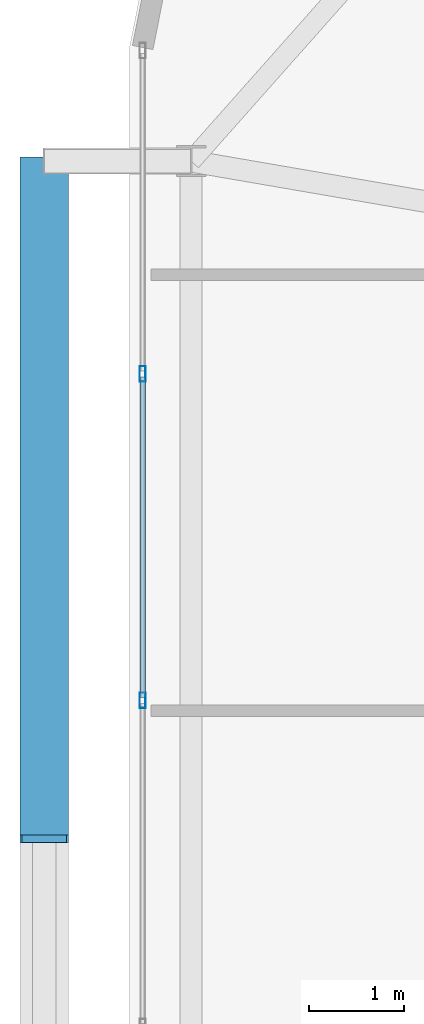
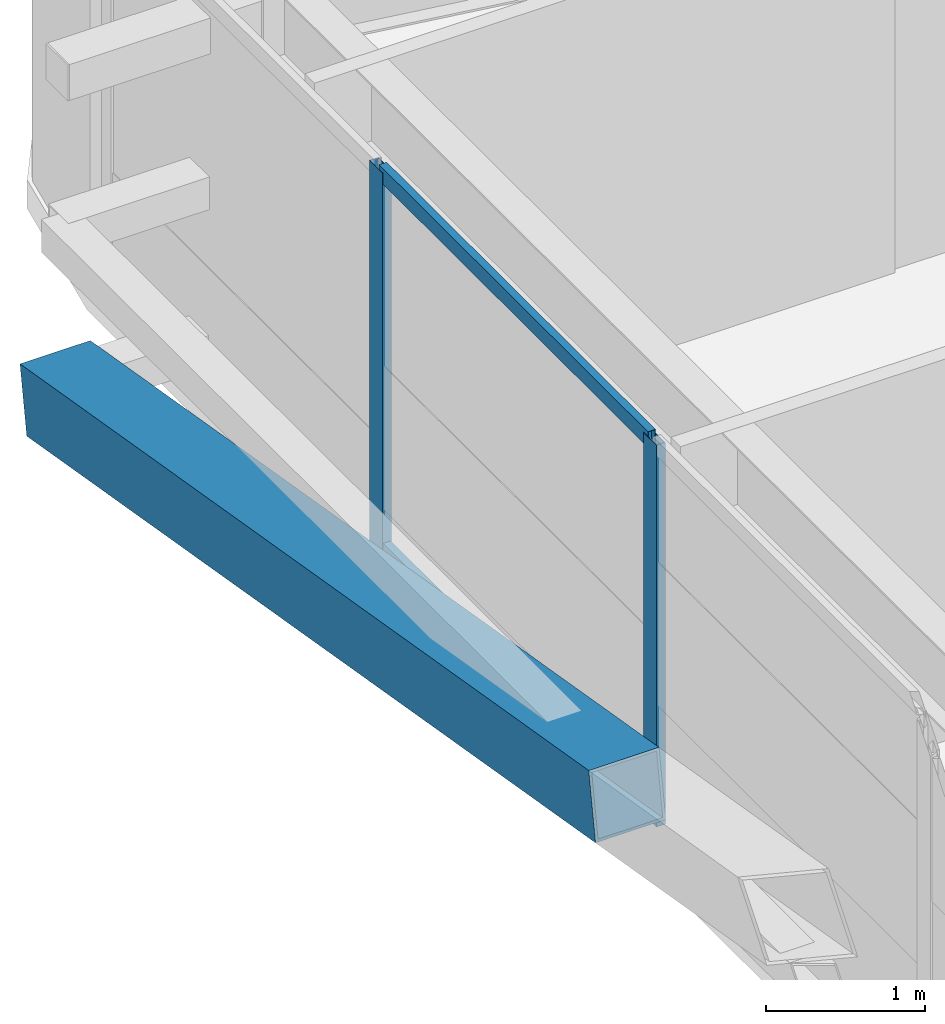
# One storey, part 18 of 59: 5 members, 1 element without a shape of its own.
"""IFC4 building model written with IfcOpenShell, lengths in metres."""

from ifc_helpers import new_model, si_unit, direction, frame, origin, origin_2d, place, context, subcontext, project, spatial, hollow_rectangle, extrude, source, transform, mapped, material, layer, layer_set, material_profile, profile_set, type_object, element, aggregate, save


model = new_model("IFC4")

# Units and contexts
model_context = context("Model", 3, precision=1e-05, world=origin(), true_north=direction((0.0, 1.0)))
body_context = subcontext(model_context, "Body", "Model", "MODEL_VIEW")
ifc_project = project(units=[si_unit("LENGTHUNIT", "METRE"), si_unit("AREAUNIT", "SQUARE_METRE"), si_unit("VOLUMEUNIT", "CUBIC_METRE"), si_unit("PLANEANGLEUNIT", "RADIAN"), si_unit("MASSUNIT", "GRAM", prefix="KILO")], contexts=[model_context])

# Site, building, storey
site_placement = place(None, origin())
site = spatial("IfcSite", under=ifc_project, at=site_placement, CompositionType="ELEMENT")
building_placement = place(site_placement, origin())
building = spatial("IfcBuilding", under=site, at=building_placement, Name="Taldren Reach Tower", CompositionType="ELEMENT")
storey_placement = place(building_placement, frame((0.0, 0.0, 23.10009765625)))
storey = spatial("IfcBuildingStorey", under=building, at=storey_placement, Name="L06", CompositionType="ELEMENT", Elevation=23.10009765625)

# Member
ifc_material_1 = material(Name="Steel Gr 450 (C450L0)", Category="steel")
ifc_material_profile_1 = material_profile(ifc_material_1, hollow_rectangle(XDim=0.510009765625, YDim=0.510009765625, WallThickness=0.02001953125, at=origin_2d()), Name="510x510x20.0SHS")
ifc_profile_set_1 = profile_set([ifc_material_profile_1], Name="Steel Gr 450 (C450L0)")
member_type_1 = type_object("IfcMemberType", Name="MB-EXO508", PredefinedType="BRACE", material=ifc_profile_set_1)
shared_shape_1 = source(origin(), body_context, "Body", "SweptSolid", [
    extrude(hollow_rectangle(XDim=0.510009765625, YDim=0.510009765625, WallThickness=0.02001953125, at=origin_2d()), origin(), (0.0, 0.0, 1.0), 7.252685546875),
])
member_1_placement = place(storey_placement, frame((4.10009765625, 34.300048828125, 0.219970703125), z_axis=(0.0, -0.985871360071, 0.167504213054), x_axis=(1.0, 0.0, 0.0)))
element("IfcMember", 1, at=member_1_placement, inside=storey, type_object=member_type_1, Name="Exoskeleton Diagrid Brace B1-W2 L06", PredefinedType="BRACE", context=body_context, shape_type="MappedRepresentation", body=[
    mapped(shared_shape_1, transform((0.0, 0.0, 0.0), scale=1.0)),
])

# Curtain wall, members
ifc_material_2 = material(Name="Aluminium and Low-E Glass Unitised System", Category="aluminium")
ifc_layer = layer(ifc_material_2, 0.159912109375)
ifc_layer_set = layer_set([ifc_layer], Name="Aluminium and Low-E Glass Unitised System")
curtain_wall_type = type_object("IfcCurtainWallType", Name="CW-SYS-2", PredefinedType="NOTDEFINED", material=ifc_layer_set)
curtain_wall_placement = place(storey_placement, origin())
curtain_wall = element("IfcCurtainWall", 2, at=curtain_wall_placement, inside=storey, type_object=curtain_wall_type, Name="Unitised curtain wall CW-L06-W", PredefinedType="NOTDEFINED")
ifc_material_3 = material(Name="Anodised Aluminium 6063-T6", Category="aluminium")
ifc_material_profile_2 = material_profile(ifc_material_3, hollow_rectangle(XDim=0.06494140625, YDim=0.1650390625, WallThickness=0.00390625, at=origin_2d()), Name="ALU-165x65x4RHS")
ifc_profile_set_2 = profile_set([ifc_material_profile_2], Name="Anodised Aluminium 6063-T6")
member_type_2 = type_object("IfcMemberType", Name="CW-MUL-165", PredefinedType="MULLION", material=ifc_profile_set_2)
shared_shape_2 = source(origin(), body_context, "Body", "SweptSolid", [
    extrude(hollow_rectangle(XDim=0.06494140625, YDim=0.1650390625, WallThickness=0.00390625, at=origin_2d()), origin(), (0.0, 0.0, 1.0), 2.929931640625),
])
member_2_placement = place(storey_placement, frame((5.139892578125, 32.0556640625, 0.0), z_axis=(0.0, 0.0, 1.0), x_axis=(1.0, 0.0, 0.0)))
member_2 = element("IfcMember", 3, at=member_2_placement, type_object=member_type_2, Name="CW-2 mullion 2", PredefinedType="MULLION", context=body_context, shape_type="MappedRepresentation", body=[
    mapped(shared_shape_2, transform((0.0, 0.0, 0.0), scale=1.0)),
])
member_3_placement = place(storey_placement, frame((5.139892578125, 28.611083984375, 0.0), z_axis=(0.0, 0.0, 1.0), x_axis=(1.0, 0.0, 0.0)))
member_3 = element("IfcMember", 4, at=member_3_placement, type_object=member_type_2, Name="CW-2 mullion 3", PredefinedType="MULLION", context=body_context, shape_type="MappedRepresentation", body=[
    mapped(shared_shape_2, transform((0.0, 0.0, 0.0), scale=1.0)),
])
ifc_material_profile_3 = material_profile(ifc_material_3, hollow_rectangle(XDim=0.054931640625, YDim=0.1201171875, WallThickness=0.0029296875, at=origin_2d()), Name="ALU-120x55x3RHS")
ifc_profile_set_3 = profile_set([ifc_material_profile_3], Name="Anodised Aluminium 6063-T6")
member_type_3 = type_object("IfcMemberType", Name="CW-TRN-135", PredefinedType="USERDEFINED", material=ifc_profile_set_3)
shared_shape_3 = source(origin(), body_context, "Body", "SweptSolid", [
    extrude(hollow_rectangle(XDim=0.054931640625, YDim=0.1201171875, WallThickness=0.0029296875, at=origin_2d()), origin(), (0.0, 0.0, 1.0), 3.37939453125),
])
member_4_placement = place(storey_placement, frame((5.139892578125, 32.02294921875, 0.02734375), z_axis=(0.0, -1.0, 0.0), x_axis=(1.0, 0.0, 0.0)))
member_4 = element("IfcMember", 5, at=member_4_placement, type_object=member_type_3, Name="CW-2 transom 2.1", ObjectType="TRANSOM", PredefinedType="USERDEFINED", context=body_context, shape_type="MappedRepresentation", body=[
    mapped(shared_shape_3, transform((0.0, 0.0, 0.0), scale=1.0)),
])
member_5_placement = place(storey_placement, frame((5.139892578125, 32.02294921875, 2.90234375), z_axis=(0.0, -1.0, 0.0), x_axis=(1.0, 0.0, 0.0)))
member_5 = element("IfcMember", 6, at=member_5_placement, type_object=member_type_3, Name="CW-2 transom 2.2", ObjectType="TRANSOM", PredefinedType="USERDEFINED", context=body_context, shape_type="MappedRepresentation", body=[
    mapped(shared_shape_3, transform((0.0, 0.0, 0.0), scale=1.0)),
])
aggregate(curtain_wall, [member_2, member_3, member_4, member_5])

save(model, "model.ifc")
